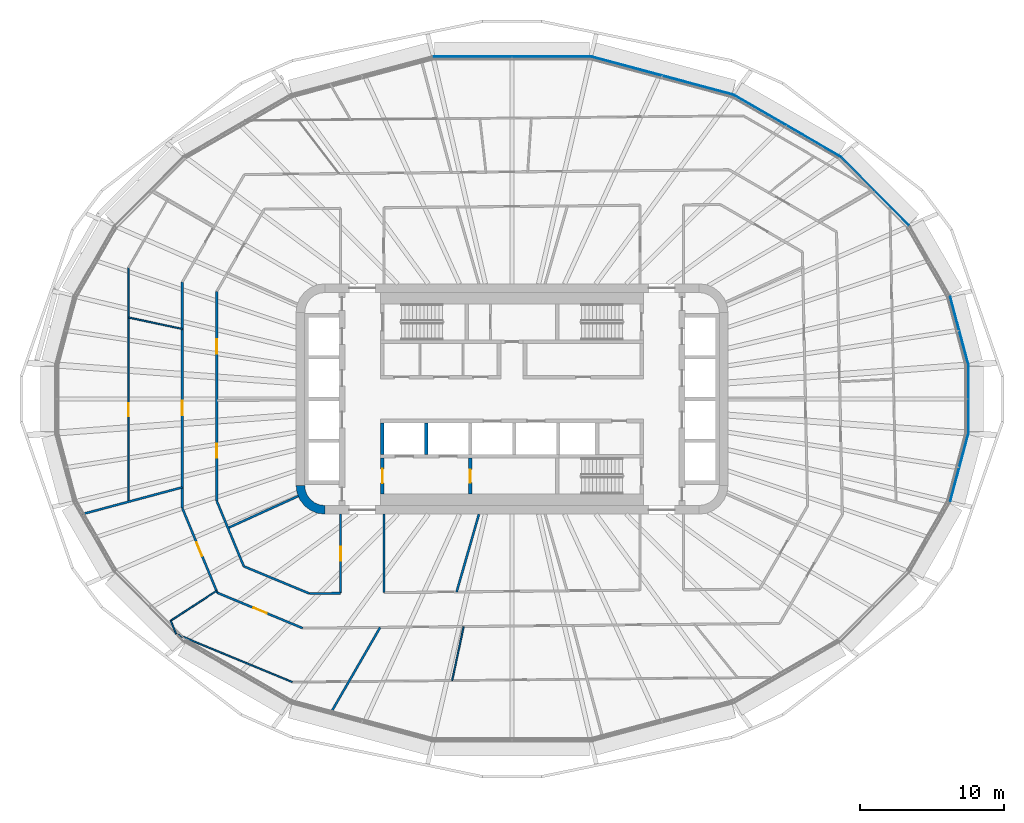
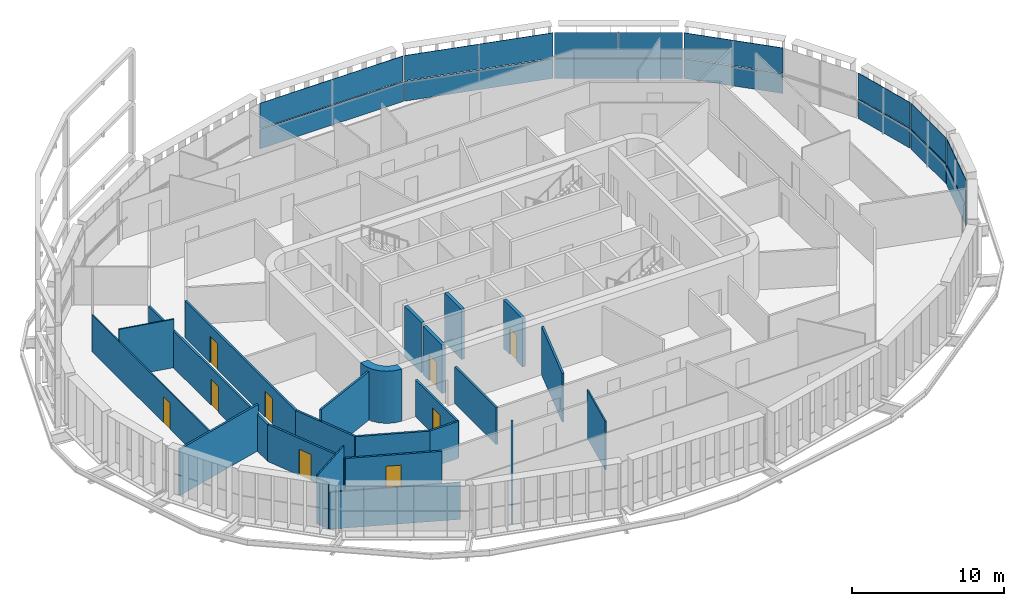
# One storey, part 14 of 26: 24 walls, 14 plates, 9 doors, 9 openings, 7 elements without a shape of their own.
"""IFC4 building model written with IfcOpenShell, lengths in metres."""

from ifc_helpers import new_model, si_unit, direction, frame, frame_2d, origin, place, context, subcontext, project, spatial, polyline, rectangle, outline, extrude, material, layer, layer_set, type_object, element, fill, aggregate, save


model = new_model("IFC4")

# Units and contexts
model_context = context("Model", 3, precision=1e-05, world=origin(), true_north=direction((0.0, 1.0)))
body_context = subcontext(model_context, "Body", "Model", "MODEL_VIEW")
ifc_project = project(units=[si_unit("LENGTHUNIT", "METRE"), si_unit("AREAUNIT", "SQUARE_METRE"), si_unit("VOLUMEUNIT", "CUBIC_METRE"), si_unit("PLANEANGLEUNIT", "RADIAN"), si_unit("MASSUNIT", "GRAM", prefix="KILO")], contexts=[model_context])

# Site, building, storey
site_placement = place(None, origin())
site = spatial("IfcSite", under=ifc_project, at=site_placement, CompositionType="ELEMENT")
building_placement = place(site_placement, origin())
building = spatial("IfcBuilding", under=site, at=building_placement, Name="Sahrelin Media Tower", CompositionType="ELEMENT")
storey_placement = place(building_placement, frame((0.0, 0.0, 84.0)))
storey = spatial("IfcBuildingStorey", under=building, at=storey_placement, Name="L15", CompositionType="ELEMENT", Elevation=84.0)

# Curtain wall, plate
ifc_material_1 = material(Name="Champagne anodised aluminium 6063-T6", Category="aluminium")
ifc_layer_1 = layer(ifc_material_1, 0.14990234375)
ifc_layer_set_1 = layer_set([ifc_layer_1], Name="Tower ribbon curtain wall")
curtain_wall_type = type_object("IfcCurtainWallType", Name="Tower ribbon curtain wall", PredefinedType="NOTDEFINED", material=ifc_layer_set_1)
curtain_wall_1_placement = place(storey_placement, frame((31.711181640625, 0.0, 0.0), z_axis=(0.0, 0.0, 1.0), x_axis=(1.0, 0.0, 0.0)))
curtain_wall_1 = element("IfcCurtainWall", 1, at=curtain_wall_1_placement, inside=storey, type_object=curtain_wall_type, Name="L15:CW:L15-00", PredefinedType="NOTDEFINED")
ifc_material_2 = material(Name="Clear low-iron glazing", Category="glass")
ifc_layer_2 = layer(ifc_material_2, 0.0400390625)
ifc_layer_set_2 = layer_set([ifc_layer_2], Name="Glazing panel 40 mm CW1")
plate_type_1 = type_object("IfcPlateType", Name="Glazing panel 40 mm CW1", PredefinedType="CURTAIN_PANEL", material=ifc_layer_set_2)
plate_1_placement = place(storey_placement, frame((31.731201171875, -2.316650390625, 1.6298828125), z_axis=(1.0, 0.0, 0.0), x_axis=(0.0, 1.0, 0.0)))
plate_1 = element("IfcPlate", 2, at=plate_1_placement, type_object=plate_type_1, Name="L15:CWP2:L15-00", PredefinedType="CURTAIN_PANEL", context=body_context, shape_type="SweptSolid", body=[
    extrude(outline(polyline([(0.0, 0.0), (4.63330078125, 0.0), (4.63330078125, 2.018798828125), (0.0, 2.018798828125), (0.0, 0.0)])), origin(), (0.0, 0.0, -1.0), 0.0400390625),
])

curtain_wall_2_placement = place(storey_placement, frame((31.07080078125, 4.757568359375, 0.0), z_axis=(0.0, 0.0, 1.0), x_axis=(1.0, 0.0, 0.0)))
curtain_wall_2 = element("IfcCurtainWall", 3, at=curtain_wall_2_placement, inside=storey, type_object=curtain_wall_type, Name="L15:CW:L15-01", PredefinedType="NOTDEFINED")
plate_2_placement = place(storey_placement, frame((31.7177734375, 2.420166015625, 1.6298828125), z_axis=(0.965928505831, 0.258809044708, 0.0), x_axis=(-0.258809044708, 0.965928505831, 0.0)))
plate_2 = element("IfcPlate", 4, at=plate_2_placement, type_object=plate_type_1, Name="L15:CWP2:L15-01", PredefinedType="CURTAIN_PANEL", context=body_context, shape_type="SweptSolid", body=[
    extrude(outline(polyline([(0.0, 0.0), (4.8505859375, 0.0), (4.8505859375, 2.018798828125), (0.0, 2.018798828125), (0.0, 0.0)])), origin(), (0.0, 0.0, -1.0), 0.0400390625),
])

curtain_wall_3_placement = place(storey_placement, frame((25.192138671875, 14.448486328125, 0.0), z_axis=(0.0, 0.0, 1.0), x_axis=(1.0, 0.0, 0.0)))
curtain_wall_3 = element("IfcCurtainWall", 5, at=curtain_wall_3_placement, inside=storey, type_object=curtain_wall_type, Name="L15:CW:L15-03", PredefinedType="NOTDEFINED")
plate_3_placement = place(storey_placement, frame((27.591796875, 12.077392578125, 1.6298828125), z_axis=(0.707088688516, 0.707124873394, 0.0), x_axis=(-0.707124873394, 0.707088688516, 0.0)))
plate_3 = element("IfcPlate", 6, at=plate_3_placement, type_object=plate_type_1, Name="L15:CWP2:L15-03", PredefinedType="CURTAIN_PANEL", context=body_context, shape_type="SweptSolid", body=[
    extrude(outline(polyline([(0.0, 0.0), (6.7470703125, 0.0), (6.7470703125, 2.018798828125), (0.0, 2.018798828125), (0.0, 0.0)])), origin(), (0.0, 0.0, -1.0), 0.0400390625),
])

curtain_wall_4_placement = place(storey_placement, frame((19.074951171875, 19.003662109375, 0.0), z_axis=(0.0, 0.0, 1.0), x_axis=(1.0, 0.0, 0.0)))
curtain_wall_4 = element("IfcCurtainWall", 7, at=curtain_wall_4_placement, inside=storey, type_object=curtain_wall_type, Name="L15:CW:L15-04", PredefinedType="NOTDEFINED")
plate_4_placement = place(storey_placement, frame((22.738037109375, 16.91162109375, 1.6298828125), z_axis=(0.500013857328, 0.866017403105, 0.0), x_axis=(-0.866017403105, 0.500013857328, 0.0)))
plate_4 = element("IfcPlate", 8, at=plate_4_placement, type_object=plate_type_1, Name="L15:CWP2:L15-04", PredefinedType="CURTAIN_PANEL", context=body_context, shape_type="SweptSolid", body=[
    extrude(outline(polyline([(0.0, 0.0), (8.436767578125, 0.0), (8.436767578125, 2.018798828125), (0.0, 2.018798828125), (0.0, 0.0)])), origin(), (0.0, 0.0, -1.0), 0.0400390625),
])

curtain_wall_5_placement = place(storey_placement, frame((10.436279296875, 22.462158203125, 0.0), z_axis=(0.0, 0.0, 1.0), x_axis=(1.0, 0.0, 0.0)))
curtain_wall_5 = element("IfcCurtainWall", 9, at=curtain_wall_5_placement, inside=storey, type_object=curtain_wall_type, Name="L15:CW:L15-05", PredefinedType="NOTDEFINED")
plate_5_placement = place(storey_placement, frame((15.335205078125, 21.170166015625, 1.6298828125), z_axis=(0.258817176465, 0.965926326987, 0.0), x_axis=(-0.965926326987, 0.258817176465, 0.0)))
plate_5 = element("IfcPlate", 10, at=plate_5_placement, type_object=plate_type_1, Name="L15:CWP2:L15-05", PredefinedType="CURTAIN_PANEL", context=body_context, shape_type="SweptSolid", body=[
    extrude(outline(polyline([(0.0, 0.0), (10.1328125, 0.0), (10.1328125, 2.018798828125), (0.0, 2.018798828125), (0.0, 0.0)])), origin(), (0.0, 0.0, -1.0), 0.0400390625),
])

curtain_wall_6_placement = place(storey_placement, frame((0.0, 23.786376953125, 0.0), z_axis=(0.0, 0.0, 1.0), x_axis=(1.0, 0.0, 0.0)))
curtain_wall_6 = element("IfcCurtainWall", 11, at=curtain_wall_6_placement, inside=storey, type_object=curtain_wall_type, Name="L15:CW:L15-06", PredefinedType="NOTDEFINED")
plate_6_placement = place(storey_placement, frame((5.444091796875, 23.806396484375, 1.6298828125), z_axis=(0.0, 1.0, 0.0), x_axis=(-1.0, 0.0, 0.0)))
plate_6 = element("IfcPlate", 12, at=plate_6_placement, type_object=plate_type_1, Name="L15:CWP2:L15-06", PredefinedType="CURTAIN_PANEL", context=body_context, shape_type="SweptSolid", body=[
    extrude(outline(polyline([(0.0, 0.0), (10.88818359375, 0.0), (10.88818359375, 2.018798828125), (0.0, 2.018798828125), (0.0, 0.0)])), origin(), (0.0, 0.0, -1.0), 0.0400390625),
])

curtain_wall_7_placement = place(storey_placement, frame((31.07080078125, -4.757568359375, 0.0), z_axis=(0.0, 0.0, 1.0), x_axis=(1.0, 0.0, 0.0)))
curtain_wall_7 = element("IfcCurtainWall", 13, at=curtain_wall_7_placement, inside=storey, type_object=curtain_wall_type, Name="L15:CW:L15-23", PredefinedType="NOTDEFINED")
plate_7_placement = place(storey_placement, frame((30.46240234375, -7.10546875, 1.6298828125), z_axis=(0.965928505831, -0.258809044708, 0.0), x_axis=(0.258809044708, 0.965928505831, 0.0)))
plate_7 = element("IfcPlate", 14, at=plate_7_placement, type_object=plate_type_1, Name="L15:CWP2:L15-23", PredefinedType="CURTAIN_PANEL", context=body_context, shape_type="SweptSolid", body=[
    extrude(outline(polyline([(0.0, 0.0), (4.8505859375, 0.0), (4.8505859375, 2.018798828125), (0.0, 2.018798828125), (0.0, 0.0)])), origin(), (0.0, 0.0, -1.0), 0.0400390625),
])

# Plate
ifc_material_3 = material(Name="Insulated spandrel panel")
ifc_layer_3 = layer(ifc_material_3, 0.06005859375)
ifc_layer_set_3 = layer_set([ifc_layer_3], Name="Spandrel panel 60 mm CW1")
plate_type_2 = type_object("IfcPlateType", Name="Spandrel panel 60 mm CW1", PredefinedType="SHEET", material=ifc_layer_set_3)
plate_8_placement = place(storey_placement, frame((31.731201171875, -2.316650390625, 0.0), z_axis=(1.0, 0.0, 0.0), x_axis=(0.0, 1.0, 0.0)))
plate_8 = element("IfcPlate", 15, at=plate_8_placement, type_object=plate_type_2, Name="L15:CWP1:L15-00", PredefinedType="SHEET", context=body_context, shape_type="SweptSolid", body=[
    extrude(outline(polyline([(0.0, 0.0), (4.63330078125, 0.0), (4.63330078125, 1.570068359375), (0.0, 1.570068359375), (0.0, 0.0)])), origin(), (0.0, 0.0, -1.0), 0.06005859375),
])

aggregate(curtain_wall_1, [plate_8, plate_1])

plate_9_placement = place(storey_placement, frame((31.7177734375, 2.420166015625, 0.0), z_axis=(0.965928505831, 0.258809044708, 0.0), x_axis=(-0.258809044708, 0.965928505831, 0.0)))
plate_9 = element("IfcPlate", 16, at=plate_9_placement, type_object=plate_type_2, Name="L15:CWP1:L15-01", PredefinedType="SHEET", context=body_context, shape_type="SweptSolid", body=[
    extrude(outline(polyline([(0.0, 0.0), (4.8505859375, 0.0), (4.8505859375, 1.570068359375), (0.0, 1.570068359375), (0.0, 0.0)])), origin(), (0.0, 0.0, -1.0), 0.06005859375),
])

aggregate(curtain_wall_2, [plate_9, plate_2])

plate_10_placement = place(storey_placement, frame((27.591796875, 12.077392578125, 0.0), z_axis=(0.707088688516, 0.707124873394, 0.0), x_axis=(-0.707124873394, 0.707088688516, 0.0)))
plate_10 = element("IfcPlate", 17, at=plate_10_placement, type_object=plate_type_2, Name="L15:CWP1:L15-03", PredefinedType="SHEET", context=body_context, shape_type="SweptSolid", body=[
    extrude(outline(polyline([(0.0, 0.0), (6.7470703125, 0.0), (6.7470703125, 1.570068359375), (0.0, 1.570068359375), (0.0, 0.0)])), origin(), (0.0, 0.0, -1.0), 0.06005859375),
])

aggregate(curtain_wall_3, [plate_10, plate_3])

plate_11_placement = place(storey_placement, frame((22.738037109375, 16.91162109375, 0.0), z_axis=(0.500013857328, 0.866017403105, 0.0), x_axis=(-0.866017403105, 0.500013857328, 0.0)))
plate_11 = element("IfcPlate", 18, at=plate_11_placement, type_object=plate_type_2, Name="L15:CWP1:L15-04", PredefinedType="SHEET", context=body_context, shape_type="SweptSolid", body=[
    extrude(outline(polyline([(0.0, 0.0), (8.436767578125, 0.0), (8.436767578125, 1.570068359375), (0.0, 1.570068359375), (0.0, 0.0)])), origin(), (0.0, 0.0, -1.0), 0.06005859375),
])

aggregate(curtain_wall_4, [plate_11, plate_4])

plate_12_placement = place(storey_placement, frame((15.335205078125, 21.170166015625, 0.0), z_axis=(0.258817176465, 0.965926326987, 0.0), x_axis=(-0.965926326987, 0.258817176465, 0.0)))
plate_12 = element("IfcPlate", 19, at=plate_12_placement, type_object=plate_type_2, Name="L15:CWP1:L15-05", PredefinedType="SHEET", context=body_context, shape_type="SweptSolid", body=[
    extrude(outline(polyline([(0.0, 0.0), (10.1328125, 0.0), (10.1328125, 1.570068359375), (0.0, 1.570068359375), (0.0, 0.0)])), origin(), (0.0, 0.0, -1.0), 0.06005859375),
])

aggregate(curtain_wall_5, [plate_12, plate_5])

plate_13_placement = place(storey_placement, frame((5.444091796875, 23.806396484375, 0.0), z_axis=(0.0, 1.0, 0.0), x_axis=(-1.0, 0.0, 0.0)))
plate_13 = element("IfcPlate", 20, at=plate_13_placement, type_object=plate_type_2, Name="L15:CWP1:L15-06", PredefinedType="SHEET", context=body_context, shape_type="SweptSolid", body=[
    extrude(outline(polyline([(0.0, 0.0), (10.88818359375, 0.0), (10.88818359375, 1.570068359375), (0.0, 1.570068359375), (0.0, 0.0)])), origin(), (0.0, 0.0, -1.0), 0.06005859375),
])

aggregate(curtain_wall_6, [plate_13, plate_6])

plate_14_placement = place(storey_placement, frame((30.46240234375, -7.10546875, 0.0), z_axis=(0.965928505831, -0.258809044708, 0.0), x_axis=(0.258809044708, 0.965928505831, 0.0)))
plate_14 = element("IfcPlate", 21, at=plate_14_placement, type_object=plate_type_2, Name="L15:CWP1:L15-23", PredefinedType="SHEET", context=body_context, shape_type="SweptSolid", body=[
    extrude(outline(polyline([(0.0, 0.0), (4.8505859375, 0.0), (4.8505859375, 1.570068359375), (0.0, 1.570068359375), (0.0, 0.0)])), origin(), (0.0, 0.0, -1.0), 0.06005859375),
])

aggregate(curtain_wall_7, [plate_14, plate_7])

# Wall
ifc_material_4 = material(Name="Concrete C60/75", Category="concrete")
ifc_layer_4 = layer(ifc_material_4, 0.60009765625)
ifc_layer_set_4 = layer_set([ifc_layer_4], Name="Core wall 600")
wall_type_1 = type_object("IfcWallType", Name="Core wall 600", PredefinedType="SHEAR", material=ifc_layer_set_4)
wall_1_placement = place(storey_placement, origin())
element("IfcWall", 22, at=wall_1_placement, inside=storey, type_object=wall_type_1, Name="Core wall corner SW L15", PredefinedType="SHEAR", context=body_context, shape_type="SweptSolid", body=[
    extrude(outline(polyline([(-13.0, -8.0), (-13.0, -7.394775390625), (-13.361083984375, -7.347412109375), (-13.697509765625, -7.2080078125), (-13.986328125, -6.986328125), (-14.2080078125, -6.697509765625), (-14.347412109375, -6.361083984375), (-14.394775390625, -6.0), (-15.0, -6.0), (-14.931884765625, -6.517578125), (-14.732177734375, -7.0), (-14.414306640625, -7.414306640625), (-14.0, -7.732177734375), (-13.517578125, -7.931884765625), (-13.0, -8.0)])), origin(), (0.0, 0.0, 1.0), 4.199951171875),
])

# Wall, opening, door
ifc_material_5 = material(Name="Fire-rated gypsum board partition")
ifc_layer_5 = layer(ifc_material_5, 0.14990234375)
ifc_layer_set_5 = layer_set([ifc_layer_5], Name="Fire-rated partition 150")
wall_type_2 = type_object("IfcWallType", Name="Fire-rated partition 150", PredefinedType="PARTITIONING", material=ifc_layer_set_5)
wall_2_placement = place(storey_placement, frame((-22.89990234375, -7.572021484375, 0.0), z_axis=(0.0, 0.0, 1.0), x_axis=(0.382367581622, -0.924010298928, 0.0)))
wall_2 = element("IfcWall", 23, at=wall_2_placement, inside=storey, type_object=wall_type_2, Name="Wall", PredefinedType="PARTITIONING", context=body_context, shape_type="SweptSolid", body=[
    extrude(rectangle(XDim=6.37353515625, YDim=0.14990234375, at=frame_2d((3.186767578125, 0.0))), origin(), (0.0, 0.0, 1.0), 2.97705078125),
])
opening_1_placement = place(wall_2_placement, frame((2.599853515625, 0.0, 0.0)))
opening_1 = element("IfcOpeningElement", 24, at=opening_1_placement, cuts=wall_2, Name="Opening L15-D53", PredefinedType="OPENING", context=body_context, shape_type="SweptSolid", body=[
    extrude(rectangle(XDim=1.0, YDim=2.10009765625, at=frame_2d((0.5, 1.050048828125))), frame((0.0, 0.074951171875, 0.0), z_axis=(0.0, -1.0, 0.0), x_axis=(1.0, 0.0, 0.0)), (0.0, 0.0, 1.0), 0.14990234375),
])
ifc_material_6 = material(Name="Steel fire door leaf", Category="steel")
door_type_1 = type_object("IfcDoorType", Name="Fire door 1000 x 2100 EI 60", OperationType="NOTDEFINED", PredefinedType="DOOR", material=ifc_material_6)
door_1_placement = place(opening_1_placement, origin())
door_1 = element("IfcDoor", 25, at=door_1_placement, inside=storey, type_object=door_type_1, Name="Fire door", OperationType="SINGLE_SWING_LEFT", OverallHeight=2.10009765625, OverallWidth=1.0, PredefinedType="DOOR", context=body_context, shape_type="SweptSolid", body=[
    extrude(rectangle(XDim=1.0, YDim=2.10009765625, at=frame_2d((0.5, 1.050048828125))), frame((0.0, 0.02490234375, 0.0), z_axis=(0.0, -1.0, 0.0), x_axis=(1.0, 0.0, 0.0)), (0.0, 0.0, 1.0), 0.050048828125),
])
fill(opening_1, door_1)

# Wall
wall_3_placement = place(storey_placement, frame((-20.5, -7.094970703125, 0.0), z_axis=(0.0, 0.0, 1.0), x_axis=(0.382364990163, -0.924011371303, 0.0)))
element("IfcWall", 26, at=wall_3_placement, inside=storey, type_object=wall_type_2, Name="Wall", PredefinedType="PARTITIONING", context=body_context, shape_type="SweptSolid", body=[
    extrude(rectangle(XDim=4.90185546875, YDim=0.14990234375, at=frame_2d((2.450927734375, 0.0))), origin(), (0.0, 0.0, 1.0), 2.97705078125),
])

# Wall, opening, door
wall_4_placement = place(storey_placement, frame((-20.4599609375, -13.4599609375, 0.0), z_axis=(0.0, 0.0, 1.0), x_axis=(0.923801547606, -0.382871650349, 0.0)))
wall_4 = element("IfcWall", 27, at=wall_4_placement, inside=storey, type_object=wall_type_2, Name="Wall", PredefinedType="PARTITIONING", context=body_context, shape_type="SweptSolid", body=[
    extrude(rectangle(XDim=6.414794921875, YDim=0.14990234375, at=frame_2d((3.20751953125, 0.0))), origin(), (0.0, 0.0, 1.0), 2.96826171875),
])
opening_2_placement = place(wall_4_placement, frame((2.70703125, 0.0, 0.0)))
opening_2 = element("IfcOpeningElement", 28, at=opening_2_placement, cuts=wall_4, Name="Opening L15-D54", PredefinedType="OPENING", context=body_context, shape_type="SweptSolid", body=[
    extrude(rectangle(XDim=1.0, YDim=2.10009765625, at=frame_2d((0.5, 1.050048828125))), frame((0.0, 0.074951171875, 0.0), z_axis=(0.0, -1.0, 0.0), x_axis=(1.0, 0.0, 0.0)), (0.0, 0.0, 1.0), 0.14990234375),
])
door_2_placement = place(opening_2_placement, origin())
door_2 = element("IfcDoor", 29, at=door_2_placement, inside=storey, type_object=door_type_1, Name="Fire door", OperationType="SINGLE_SWING_LEFT", OverallHeight=2.10009765625, OverallWidth=1.0, PredefinedType="DOOR", context=body_context, shape_type="SweptSolid", body=[
    extrude(rectangle(XDim=1.0, YDim=2.10009765625, at=frame_2d((0.5, 1.050048828125))), frame((0.0, 0.02490234375, 0.0), z_axis=(0.0, -1.0, 0.0), x_axis=(1.0, 0.0, 0.0)), (0.0, 0.0, 1.0), 0.050048828125),
])
fill(opening_2, door_2)

# Walls
wall_5_placement = place(storey_placement, frame((-18.623046875, -11.623046875, 0.0), z_axis=(0.0, 0.0, 1.0), x_axis=(0.923791670587, -0.38289548098, 0.0)))
element("IfcWall", 30, at=wall_5_placement, inside=storey, type_object=wall_type_2, Name="Wall", PredefinedType="PARTITIONING", context=body_context, shape_type="SweptSolid", body=[
    extrude(rectangle(XDim=4.9306640625, YDim=0.14990234375, at=frame_2d((2.46533203125, 0.0))), origin(), (0.0, 0.0, 1.0), 2.96826171875),
])
wall_6_placement = place(storey_placement, frame((-14.068115234375, -13.510986328125, 0.0), z_axis=(0.0, 0.0, 1.0), x_axis=(0.999950911515, 0.009908307647, 0.0)))
element("IfcWall", 31, at=wall_6_placement, inside=storey, type_object=wall_type_2, Name="Wall", PredefinedType="PARTITIONING", context=body_context, shape_type="SweptSolid", body=[
    extrude(rectangle(XDim=2.168212890625, YDim=0.14990234375, at=frame_2d((1.083984375, 0.0))), origin(), (0.0, 0.0, 1.0), 2.96826171875),
])
wall_7_placement = place(storey_placement, frame((-29.927978515625, -8.01904296875, 0.0), z_axis=(0.0, 0.0, 1.0), x_axis=(0.965929629594, 0.258804850559, 0.0)))
element("IfcWall", 32, at=wall_7_placement, inside=storey, type_object=wall_type_2, Name="Wall", PredefinedType="PARTITIONING", context=body_context, shape_type="SweptSolid", body=[
    extrude(rectangle(XDim=7.27587890625, YDim=0.14990234375, at=frame_2d((3.637939453125, 0.0))), origin(), (0.0, 0.0, 1.0), 3.7265625),
])
wall_8_placement = place(storey_placement, frame((-19.72802734375, -8.9580078125, 0.0), z_axis=(0.0, 0.0, 1.0), x_axis=(0.910629511797, 0.413223779863, 0.0)))
element("IfcWall", 33, at=wall_8_placement, inside=storey, type_object=wall_type_2, Name="Wall", PredefinedType="PARTITIONING", context=body_context, shape_type="SweptSolid", body=[
    extrude(rectangle(XDim=5.3681640625, YDim=0.14990234375, at=frame_2d((2.68408203125, 0.0))), origin(), (0.0, 0.0, 1.0), 3.89990234375),
])
wall_9_placement = place(storey_placement, frame((-12.62890625, -21.8740234375, 0.0), z_axis=(0.0, 0.0, 1.0), x_axis=(0.499986326517, 0.86603329803, 0.0)))
element("IfcWall", 34, at=wall_9_placement, inside=storey, type_object=wall_type_2, Name="Wall", PredefinedType="PARTITIONING", context=body_context, shape_type="SweptSolid", body=[
    extrude(rectangle(XDim=6.941162109375, YDim=0.14990234375, at=frame_2d((3.470703125, 0.0))), origin(), (0.0, 0.0, 1.0), 3.501708984375),
])
wall_10_placement = place(storey_placement, frame((-3.845947265625, -13.39892578125, 0.0), z_axis=(0.0, 0.0, 1.0), x_axis=(0.275914969745, 0.961182048038, 0.0)))
element("IfcWall", 35, at=wall_10_placement, inside=storey, type_object=wall_type_2, Name="Wall", PredefinedType="PARTITIONING", context=body_context, shape_type="SweptSolid", body=[
    extrude(rectangle(XDim=5.616943359375, YDim=0.14990234375, at=frame_2d((2.80859375, 0.0))), origin(), (0.0, 0.0, 1.0), 3.89990234375),
])
wall_11_placement = place(storey_placement, frame((-8.89990234375, -13.448974609375, 0.0), z_axis=(0.0, 0.0, 1.0), x_axis=(0.0, 1.0, 0.0)))
element("IfcWall", 36, at=wall_11_placement, inside=storey, type_object=wall_type_2, Name="Wall", PredefinedType="PARTITIONING", context=body_context, shape_type="SweptSolid", body=[
    extrude(rectangle(XDim=5.448974609375, YDim=0.14990234375, at=frame_2d((2.724609375, 0.0))), origin(), (0.0, 0.0, 1.0), 2.96826171875),
])

# Wall, opening, door
wall_12_placement = place(storey_placement, frame((-11.89990234375, -13.489990234375, 0.0), z_axis=(0.0, 0.0, 1.0), x_axis=(0.0, 1.0, 0.0)))
wall_12 = element("IfcWall", 37, at=wall_12_placement, inside=storey, type_object=wall_type_2, Name="Wall", PredefinedType="PARTITIONING", context=body_context, shape_type="SweptSolid", body=[
    extrude(rectangle(XDim=5.489990234375, YDim=0.14990234375, at=frame_2d((2.7451171875, 0.0))), origin(), (0.0, 0.0, 1.0), 2.96826171875),
])
opening_3_placement = place(wall_12_placement, frame((2.2451171875, 0.0, 0.0)))
opening_3 = element("IfcOpeningElement", 38, at=opening_3_placement, cuts=wall_12, Name="Opening L15-D34", PredefinedType="OPENING", context=body_context, shape_type="SweptSolid", body=[
    extrude(rectangle(XDim=1.0, YDim=2.10009765625, at=frame_2d((0.5, 1.050048828125))), frame((0.0, 0.074951171875, 0.0), z_axis=(0.0, -1.0, 0.0), x_axis=(1.0, 0.0, 0.0)), (0.0, 0.0, 1.0), 0.14990234375),
])
door_3_placement = place(opening_3_placement, origin())
door_3 = element("IfcDoor", 39, at=door_3_placement, inside=storey, type_object=door_type_1, Name="Fire door", OperationType="SINGLE_SWING_RIGHT", OverallHeight=2.10009765625, OverallWidth=1.0, PredefinedType="DOOR", context=body_context, shape_type="SweptSolid", body=[
    extrude(rectangle(XDim=1.0, YDim=2.10009765625, at=frame_2d((0.5, 1.050048828125))), frame((0.0, 0.02490234375, 0.0), z_axis=(0.0, -1.0, 0.0), x_axis=(1.0, 0.0, 0.0)), (0.0, 0.0, 1.0), 0.050048828125),
])
fill(opening_3, door_3)

# Wall, openings, doors
wall_13_placement = place(storey_placement, frame((-20.5, -7.094970703125, 0.0), z_axis=(0.0, 0.0, 1.0), x_axis=(0.0, 1.0, 0.0)))
wall_13 = element("IfcWall", 40, at=wall_13_placement, inside=storey, type_object=wall_type_2, Name="Wall", PredefinedType="PARTITIONING", context=body_context, shape_type="SweptSolid", body=[
    extrude(rectangle(XDim=14.569091796875, YDim=0.14990234375, at=frame_2d((7.28466796875, 0.0))), origin(), (0.0, 0.0, 1.0), 2.96826171875),
])
opening_4_placement = place(wall_13_placement, frame((10.234375, 0.0, 0.0)))
opening_4 = element("IfcOpeningElement", 41, at=opening_4_placement, cuts=wall_13, Name="Opening L15-D32", PredefinedType="OPENING", context=body_context, shape_type="SweptSolid", body=[
    extrude(rectangle(XDim=1.0, YDim=2.10009765625, at=frame_2d((0.5, 1.050048828125))), frame((0.0, 0.074951171875, 0.0), z_axis=(0.0, -1.0, 0.0), x_axis=(1.0, 0.0, 0.0)), (0.0, 0.0, 1.0), 0.14990234375),
])
opening_5_placement = place(wall_13_placement, frame((3.00048828125, 0.0, 0.0)))
opening_5 = element("IfcOpeningElement", 42, at=opening_5_placement, cuts=wall_13, Name="Opening L15-D33", PredefinedType="OPENING", context=body_context, shape_type="SweptSolid", body=[
    extrude(rectangle(XDim=1.0, YDim=2.10009765625, at=frame_2d((0.5, 1.050048828125))), frame((0.0, 0.074951171875, 0.0), z_axis=(0.0, -1.0, 0.0), x_axis=(1.0, 0.0, 0.0)), (0.0, 0.0, 1.0), 0.14990234375),
])
door_4_placement = place(opening_4_placement, origin())
door_4 = element("IfcDoor", 43, at=door_4_placement, inside=storey, type_object=door_type_1, Name="Fire door", OperationType="SINGLE_SWING_LEFT", OverallHeight=2.10009765625, OverallWidth=1.0, PredefinedType="DOOR", context=body_context, shape_type="SweptSolid", body=[
    extrude(rectangle(XDim=1.0, YDim=2.10009765625, at=frame_2d((0.5, 1.050048828125))), frame((0.0, 0.02490234375, 0.0), z_axis=(0.0, -1.0, 0.0), x_axis=(1.0, 0.0, 0.0)), (0.0, 0.0, 1.0), 0.050048828125),
])
fill(opening_4, door_4)
door_5_placement = place(opening_5_placement, origin())
door_5 = element("IfcDoor", 44, at=door_5_placement, inside=storey, type_object=door_type_1, Name="Fire door", OperationType="SINGLE_SWING_LEFT", OverallHeight=2.10009765625, OverallWidth=1.0, PredefinedType="DOOR", context=body_context, shape_type="SweptSolid", body=[
    extrude(rectangle(XDim=1.0, YDim=2.10009765625, at=frame_2d((0.5, 1.050048828125))), frame((0.0, 0.02490234375, 0.0), z_axis=(0.0, -1.0, 0.0), x_axis=(1.0, 0.0, 0.0)), (0.0, 0.0, 1.0), 0.050048828125),
])
fill(opening_5, door_5)

# Wall, opening, door
wall_14_placement = place(storey_placement, frame((-22.89990234375, -7.572021484375, 0.0), z_axis=(0.0, 0.0, 1.0), x_axis=(0.0, 1.0, 0.0)))
wall_14 = element("IfcWall", 45, at=wall_14_placement, inside=storey, type_object=wall_type_2, Name="Wall", PredefinedType="PARTITIONING", context=body_context, shape_type="SweptSolid", body=[
    extrude(rectangle(XDim=15.68896484375, YDim=0.14990234375, at=frame_2d((7.844482421875, 0.0))), origin(), (0.0, 0.0, 1.0), 2.96826171875),
])
opening_6_placement = place(wall_14_placement, frame((6.4375, 0.0, 0.0)))
opening_6 = element("IfcOpeningElement", 46, at=opening_6_placement, cuts=wall_14, Name="Opening L15-D51", PredefinedType="OPENING", context=body_context, shape_type="SweptSolid", body=[
    extrude(rectangle(XDim=1.0, YDim=2.10009765625, at=frame_2d((0.5, 1.050048828125))), frame((0.0, 0.074951171875, 0.0), z_axis=(0.0, -1.0, 0.0), x_axis=(1.0, 0.0, 0.0)), (0.0, 0.0, 1.0), 0.14990234375),
])
door_6_placement = place(opening_6_placement, origin())
door_6 = element("IfcDoor", 47, at=door_6_placement, inside=storey, type_object=door_type_1, Name="Fire door", OperationType="SINGLE_SWING_RIGHT", OverallHeight=2.10009765625, OverallWidth=1.0, PredefinedType="DOOR", context=body_context, shape_type="SweptSolid", body=[
    extrude(rectangle(XDim=1.0, YDim=2.10009765625, at=frame_2d((0.5, 1.050048828125))), frame((0.0, 0.02490234375, 0.0), z_axis=(0.0, -1.0, 0.0), x_axis=(1.0, 0.0, 0.0)), (0.0, 0.0, 1.0), 0.050048828125),
])
fill(opening_6, door_6)

ifc_layer_6 = layer(ifc_material_5, 0.25)
ifc_layer_set_6 = layer_set([ifc_layer_6], Name="Firefighting lobby wall 250")
wall_type_3 = type_object("IfcWallType", Name="Firefighting lobby wall 250", PredefinedType="PARTITIONING", material=ifc_layer_set_6)
wall_15_placement = place(storey_placement, frame((-9.0, -6.60009765625, 0.0), z_axis=(0.0, 0.0, 1.0), x_axis=(0.0, 1.0, 0.0)))
wall_15 = element("IfcWall", 48, at=wall_15_placement, inside=storey, type_object=wall_type_3, Name="Core wall", PredefinedType="PARTITIONING", context=body_context, shape_type="SweptSolid", body=[
    extrude(rectangle(XDim=2.5, YDim=0.25, at=frame_2d((1.25, 0.0))), origin(), (0.0, 0.0, 1.0), 3.89990234375),
])
opening_7_placement = place(wall_15_placement, frame((0.75, 0.0, 0.0)))
opening_7 = element("IfcOpeningElement", 49, at=opening_7_placement, cuts=wall_15, Name="Opening L15-D04", PredefinedType="OPENING", context=body_context, shape_type="SweptSolid", body=[
    extrude(rectangle(XDim=1.0, YDim=2.10009765625, at=frame_2d((0.5, 1.050048828125))), frame((0.0, 0.125, 0.0), z_axis=(0.0, -1.0, 0.0), x_axis=(1.0, 0.0, 0.0)), (0.0, 0.0, 1.0), 0.25),
])
door_type_2 = type_object("IfcDoorType", Name="Firefighting lobby door 1000 x 2100 EI 120", OperationType="NOTDEFINED", PredefinedType="DOOR", material=ifc_material_6)
door_7_placement = place(opening_7_placement, origin())
door_7 = element("IfcDoor", 50, at=door_7_placement, inside=storey, type_object=door_type_2, Name="Firefighting lobby door", OperationType="SINGLE_SWING_LEFT", OverallHeight=2.10009765625, OverallWidth=1.0, PredefinedType="DOOR", context=body_context, shape_type="SweptSolid", body=[
    extrude(rectangle(XDim=1.0, YDim=2.10009765625, at=frame_2d((0.5, 1.050048828125))), frame((0.0, 0.02490234375, 0.0), z_axis=(0.0, -1.0, 0.0), x_axis=(1.0, 0.0, 0.0)), (0.0, 0.0, 1.0), 0.050048828125),
])
fill(opening_7, door_7)

wall_16_placement = place(storey_placement, frame((-2.89990234375, -6.60009765625, 0.0), z_axis=(0.0, 0.0, 1.0), x_axis=(0.0, 1.0, 0.0)))
wall_16 = element("IfcWall", 51, at=wall_16_placement, inside=storey, type_object=wall_type_3, Name="Core wall", PredefinedType="PARTITIONING", context=body_context, shape_type="SweptSolid", body=[
    extrude(rectangle(XDim=2.5, YDim=0.25, at=frame_2d((1.25, 0.0))), origin(), (0.0, 0.0, 1.0), 3.89990234375),
])
opening_8_placement = place(wall_16_placement, frame((0.800048828125, 0.0, 0.0)))
opening_8 = element("IfcOpeningElement", 52, at=opening_8_placement, cuts=wall_16, Name="Opening L15-D05", PredefinedType="OPENING", context=body_context, shape_type="SweptSolid", body=[
    extrude(rectangle(XDim=0.89990234375, YDim=2.10009765625, at=frame_2d((0.449951171875, 1.050048828125))), frame((0.0, 0.125, 0.0), z_axis=(0.0, -1.0, 0.0), x_axis=(1.0, 0.0, 0.0)), (0.0, 0.0, 1.0), 0.25),
])
door_type_3 = type_object("IfcDoorType", Name="Firefighting lobby door 900 x 2100 EI 120", OperationType="NOTDEFINED", PredefinedType="DOOR", material=ifc_material_6)
door_8_placement = place(opening_8_placement, origin())
door_8 = element("IfcDoor", 53, at=door_8_placement, inside=storey, type_object=door_type_3, Name="Riser door", OperationType="SINGLE_SWING_RIGHT", OverallHeight=2.10009765625, OverallWidth=0.89990234375, PredefinedType="DOOR", context=body_context, shape_type="SweptSolid", body=[
    extrude(rectangle(XDim=0.89990234375, YDim=2.10009765625, at=frame_2d((0.449951171875, 1.050048828125))), frame((0.0, 0.02490234375, 0.0), z_axis=(0.0, -1.0, 0.0), x_axis=(1.0, 0.0, 0.0)), (0.0, 0.0, 1.0), 0.050048828125),
])
fill(opening_8, door_8)

# Walls
ifc_layer_7 = layer(ifc_material_4, 0.25)
ifc_layer_set_7 = layer_set([ifc_layer_7], Name="Lift shaft wall 250")
wall_type_4 = type_object("IfcWallType", Name="Lift shaft wall 250", PredefinedType="SOLIDWALL", material=ifc_layer_set_7)
for number, where, z_axis, x_axis, name in (
    (54, (-9.0, -3.85009765625, 0.0), (0.0, 0.0, 1.0), (0.0, 1.0, 0.0), "Lift shaft wall"),
    (55, (-5.949951171875, -3.85009765625, 0.0), (0.0, 0.0, 1.0), (0.0, 1.0, 0.0), "Lift shaft wall"),
):
    element("IfcWall", number, at=place(storey_placement, frame(where, z_axis=z_axis, x_axis=x_axis)), inside=storey, type_object=wall_type_4, Name=name, PredefinedType="SOLIDWALL", context=body_context, shape_type="SweptSolid", body=[
        extrude(rectangle(XDim=2.2001953125, YDim=0.25, at=frame_2d((1.10009765625, 0.0))), origin(), (0.0, 0.0, 1.0), 4.050048828125),
    ])
ifc_material_7 = material(Name="Gypsum board partition")
ifc_layer_8 = layer(ifc_material_7, 0.10009765625)
ifc_layer_set_8 = layer_set([ifc_layer_8], Name="Partition 100")
wall_type_5 = type_object("IfcWallType", Name="Partition 100", PredefinedType="PARTITIONING", material=ifc_layer_set_8)
wall_17_placement = place(storey_placement, frame((-23.7060546875, -15.39501953125, 0.0), z_axis=(0.0, 0.0, 1.0), x_axis=(0.382734348683, -0.923858440638, 0.0)))
element("IfcWall", 56, at=wall_17_placement, inside=storey, type_object=wall_type_5, Name="Wall", PredefinedType="PARTITIONING", context=body_context, shape_type="SweptSolid", body=[
    extrude(rectangle(XDim=0.995849609375, YDim=0.10009765625, at=frame_2d((0.498046875, 0.0))), origin(), (0.0, 0.0, 1.0), 3.675048828125),
])
wall_18_placement = place(storey_placement, frame((-23.31494140625, -16.324951171875, 0.0), z_axis=(0.0, 0.0, 1.0), x_axis=(0.923811686722, -0.382847185541, 0.0)))
element("IfcWall", 57, at=wall_18_placement, inside=storey, type_object=wall_type_5, Name="Wall", PredefinedType="PARTITIONING", context=body_context, shape_type="SweptSolid", body=[
    extrude(rectangle(XDim=8.71923828125, YDim=0.10009765625, at=frame_2d((4.359619140625, 0.0))), origin(), (0.0, 0.0, 1.0), 2.96826171875),
])
wall_19_placement = place(storey_placement, frame((-26.639892578125, 5.662109375, 0.0), z_axis=(0.0, 0.0, 1.0), x_axis=(0.978136613381, -0.207963375533, 0.0)))
element("IfcWall", 58, at=wall_19_placement, inside=storey, type_object=wall_type_5, Name="Wall", PredefinedType="PARTITIONING", context=body_context, shape_type="SweptSolid", body=[
    extrude(rectangle(XDim=3.823486328125, YDim=0.10009765625, at=frame_2d((1.91162109375, 0.0))), origin(), (0.0, 0.0, 1.0), 3.89990234375),
])
wall_20_placement = place(storey_placement, frame((-23.7060546875, -15.39501953125, 0.0), z_axis=(0.0, 0.0, 1.0), x_axis=(0.838733884708, 0.544541523341, 0.0)))
element("IfcWall", 59, at=wall_20_placement, inside=storey, type_object=wall_type_5, Name="Wall", PredefinedType="PARTITIONING", context=body_context, shape_type="SweptSolid", body=[
    extrude(rectangle(XDim=3.80322265625, YDim=0.10009765625, at=frame_2d((1.901611328125, 0.0))), origin(), (0.0, 0.0, 1.0), 3.89990234375),
])
wall_21_placement = place(storey_placement, frame((-4.156005859375, -19.552978515625, 0.0), z_axis=(0.0, 0.0, 1.0), x_axis=(0.208023345905, 0.978123861052, 0.0)))
element("IfcWall", 60, at=wall_21_placement, inside=storey, type_object=wall_type_5, Name="Wall", PredefinedType="PARTITIONING", context=body_context, shape_type="SweptSolid", body=[
    extrude(rectangle(XDim=3.831787109375, YDim=0.10009765625, at=frame_2d((1.916015625, 0.0))), origin(), (0.0, 0.0, 1.0), 3.89990234375),
])

# Wall, opening, door
wall_22_placement = place(storey_placement, frame((-26.639892578125, -7.137939453125, 0.0), z_axis=(0.0, 0.0, 1.0), x_axis=(0.0, 1.0, 0.0)))
wall_22 = element("IfcWall", 61, at=wall_22_placement, inside=storey, type_object=wall_type_5, Name="Wall", PredefinedType="PARTITIONING", context=body_context, shape_type="SweptSolid", body=[
    extrude(rectangle(XDim=16.2568359375, YDim=0.10009765625, at=frame_2d((8.12841796875, 0.0))), origin(), (0.0, 0.0, 1.0), 2.96826171875),
])
opening_9_placement = place(wall_22_placement, frame((5.949951171875, 0.0, 0.0)))
opening_9 = element("IfcOpeningElement", 62, at=opening_9_placement, cuts=wall_22, Name="Opening L15-D52", PredefinedType="OPENING", context=body_context, shape_type="SweptSolid", body=[
    extrude(rectangle(XDim=0.89990234375, YDim=2.10009765625, at=frame_2d((0.449951171875, 1.050048828125))), frame((0.0, 0.050048828125, 0.0), z_axis=(0.0, -1.0, 0.0), x_axis=(1.0, 0.0, 0.0)), (0.0, 0.0, 1.0), 0.10009765625),
])
ifc_material_8 = material(Name="Timber door leaf", Category="wood")
door_type_4 = type_object("IfcDoorType", Name="Single door 900 x 2100", OperationType="NOTDEFINED", PredefinedType="DOOR", material=ifc_material_8)
door_9_placement = place(opening_9_placement, origin())
door_9 = element("IfcDoor", 63, at=door_9_placement, inside=storey, type_object=door_type_4, Name="Single door", OperationType="SINGLE_SWING_LEFT", OverallHeight=2.10009765625, OverallWidth=0.89990234375, PredefinedType="DOOR", context=body_context, shape_type="SweptSolid", body=[
    extrude(rectangle(XDim=0.89990234375, YDim=2.10009765625, at=frame_2d((0.449951171875, 1.050048828125))), frame((0.0, 0.02490234375, 0.0), z_axis=(0.0, -1.0, 0.0), x_axis=(1.0, 0.0, 0.0)), (0.0, 0.0, 1.0), 0.050048828125),
])
fill(opening_9, door_9)

save(model, "model.ifc")
